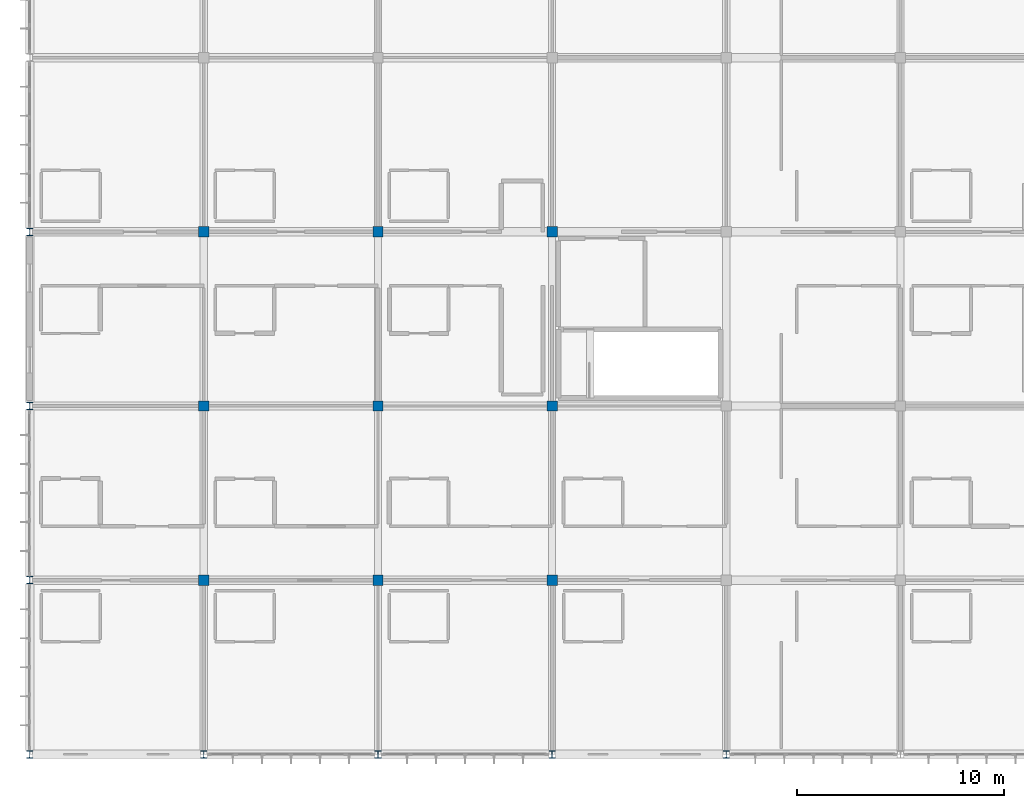
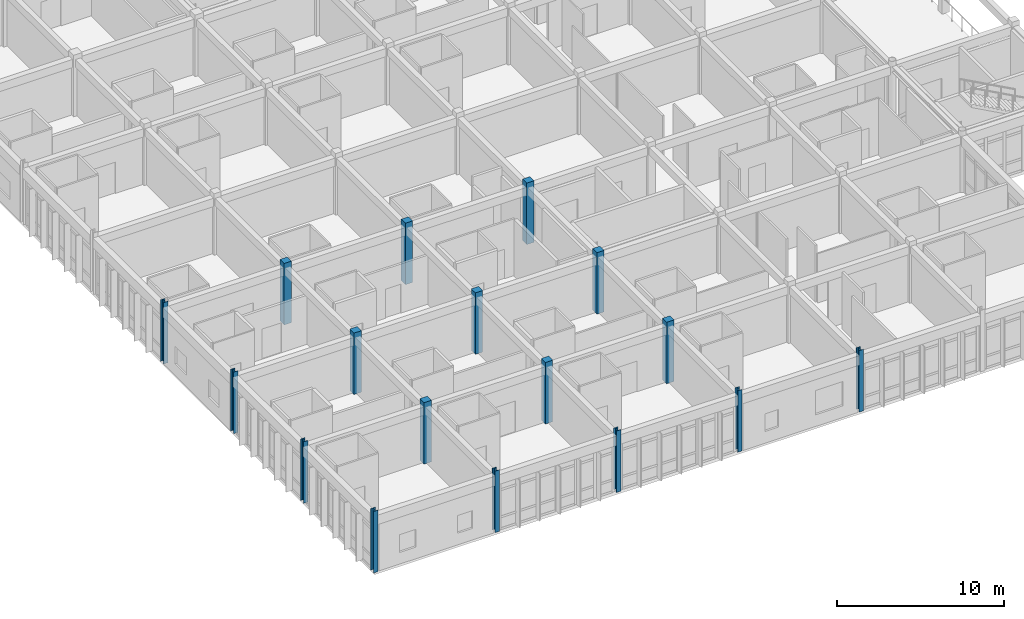
# One storey, part 1 of 144: 17 columns.
"""IFC4 building model written with IfcOpenShell, lengths in metres."""

from ifc_helpers import new_model, si_unit, direction, frame, origin, origin_2d, place, context, subcontext, project, spatial, rectangle, i_section, extrude, material, material_profile, profile_set, type_object, element, save


model = new_model("IFC4")

# Units and contexts
model_context = context("Model", 3, precision=1e-05, world=origin(), true_north=direction((0.0, 1.0)))
body_context = subcontext(model_context, "Body", "Model", "MODEL_VIEW")
ifc_project = project(units=[si_unit("LENGTHUNIT", "METRE"), si_unit("AREAUNIT", "SQUARE_METRE"), si_unit("VOLUMEUNIT", "CUBIC_METRE"), si_unit("PLANEANGLEUNIT", "RADIAN"), si_unit("MASSUNIT", "GRAM", prefix="KILO")], contexts=[model_context])

# Site, building, storey
site_placement = place(None, origin())
site = spatial("IfcSite", under=ifc_project, at=site_placement, CompositionType="ELEMENT")
building_placement = place(site_placement, origin())
building = spatial("IfcBuilding", under=site, at=building_placement, Name="Bramfleet General Hospital", CompositionType="ELEMENT")
storey_placement = place(building_placement, frame((0.0, 0.0, 4.800048828125)))
storey = spatial("IfcBuildingStorey", under=building, at=storey_placement, Name="L01", CompositionType="ELEMENT", Elevation=4.800048828125)

# Columns
ifc_material_1 = material(Name="Steel S355", Category="steel")
ifc_material_profile_1 = material_profile(ifc_material_1, i_section(OverallWidth=0.300048828125, OverallDepth=0.360107421875, WebThickness=0.012451171875, FlangeThickness=0.0224609375, FilletRadius=0.027099609375, at=origin_2d()), Name="HEB 360")
ifc_profile_set_1 = profile_set([ifc_material_profile_1], Name="Steel S355")
column_type_1 = type_object("IfcColumnType", Name="COL-HEB360", PredefinedType="COLUMN", material=ifc_profile_set_1)
for number, where, z_axis, x_axis, name in (
    (1, (0.0, 0.0, 0.0), (0.0, 0.0, 1.0), (1.0, 0.0, 0.0), "Column COL-L01-00-00"),
    (2, (0.0, 8.39990234375, 0.0), (0.0, 0.0, 1.0), (1.0, 0.0, 0.0), "Column COL-L01-00-01"),
    (3, (0.0, 16.800048828125, 0.0), (0.0, 0.0, 1.0), (1.0, 0.0, 0.0), "Column COL-L01-00-02"),
    (4, (0.0, 25.199951171875, 0.0), (0.0, 0.0, 1.0), (1.0, 0.0, 0.0), "Column COL-L01-00-03"),
    (5, (8.39990234375, 0.0, 0.0), (0.0, 0.0, 1.0), (1.0, 0.0, 0.0), "Column COL-L01-01-00"),
    (6, (16.800048828125, 0.0, 0.0), (0.0, 0.0, 1.0), (1.0, 0.0, 0.0), "Column COL-L01-02-00"),
    (7, (25.199951171875, 0.0, 0.0), (0.0, 0.0, 1.0), (1.0, 0.0, 0.0), "Column COL-L01-03-00"),
    (8, (33.60009765625, 0.0, 0.0), (0.0, 0.0, 1.0), (1.0, 0.0, 0.0), "Column COL-L01-04-00"),
):
    element("IfcColumn", number, at=place(storey_placement, frame(where, z_axis=z_axis, x_axis=x_axis)), inside=storey, type_object=column_type_1, Name=name, PredefinedType="COLUMN", context=body_context, shape_type="SweptSolid", body=[
        extrude(i_section(OverallWidth=0.300048828125, OverallDepth=0.360107421875, WebThickness=0.012451171875, FlangeThickness=0.0224609375, FilletRadius=0.027099609375, at=origin_2d()), origin(), (0.0, 0.0, 1.0), 4.5),
    ])
ifc_material_2 = material(Name="Concrete C40/50", Category="concrete")
ifc_material_profile_2 = material_profile(ifc_material_2, rectangle(XDim=0.5, YDim=0.5, at=origin_2d()), Name="RC COL 500x500")
ifc_profile_set_2 = profile_set([ifc_material_profile_2], Name="Concrete C40/50")
column_type_2 = type_object("IfcColumnType", Name="COL-RC500", PredefinedType="COLUMN", material=ifc_profile_set_2)
for number, where, z_axis, x_axis, name in (
    (9, (8.39990234375, 8.39990234375, 0.0), (0.0, 0.0, 1.0), (1.0, 0.0, 0.0), "Column COL-L01-01-01"),
    (10, (8.39990234375, 16.800048828125, 0.0), (0.0, 0.0, 1.0), (1.0, 0.0, 0.0), "Column COL-L01-01-02"),
    (11, (8.39990234375, 25.199951171875, 0.0), (0.0, 0.0, 1.0), (1.0, 0.0, 0.0), "Column COL-L01-01-03"),
    (12, (16.800048828125, 8.39990234375, 0.0), (0.0, 0.0, 1.0), (1.0, 0.0, 0.0), "Column COL-L01-02-01"),
    (13, (16.800048828125, 16.800048828125, 0.0), (0.0, 0.0, 1.0), (1.0, 0.0, 0.0), "Column COL-L01-02-02"),
    (14, (16.800048828125, 25.199951171875, 0.0), (0.0, 0.0, 1.0), (1.0, 0.0, 0.0), "Column COL-L01-02-03"),
    (15, (25.199951171875, 8.39990234375, 0.0), (0.0, 0.0, 1.0), (1.0, 0.0, 0.0), "Column COL-L01-03-01"),
    (16, (25.199951171875, 16.800048828125, 0.0), (0.0, 0.0, 1.0), (1.0, 0.0, 0.0), "Column COL-L01-03-02"),
    (17, (25.199951171875, 25.199951171875, 0.0), (0.0, 0.0, 1.0), (1.0, 0.0, 0.0), "Column COL-L01-03-03"),
):
    element("IfcColumn", number, at=place(storey_placement, frame(where, z_axis=z_axis, x_axis=x_axis)), inside=storey, type_object=column_type_2, Name=name, PredefinedType="COLUMN", context=body_context, shape_type="SweptSolid", body=[
        extrude(rectangle(XDim=0.5, YDim=0.5, at=origin_2d()), origin(), (0.0, 0.0, 1.0), 4.5),
    ])

save(model, "model.ifc")
